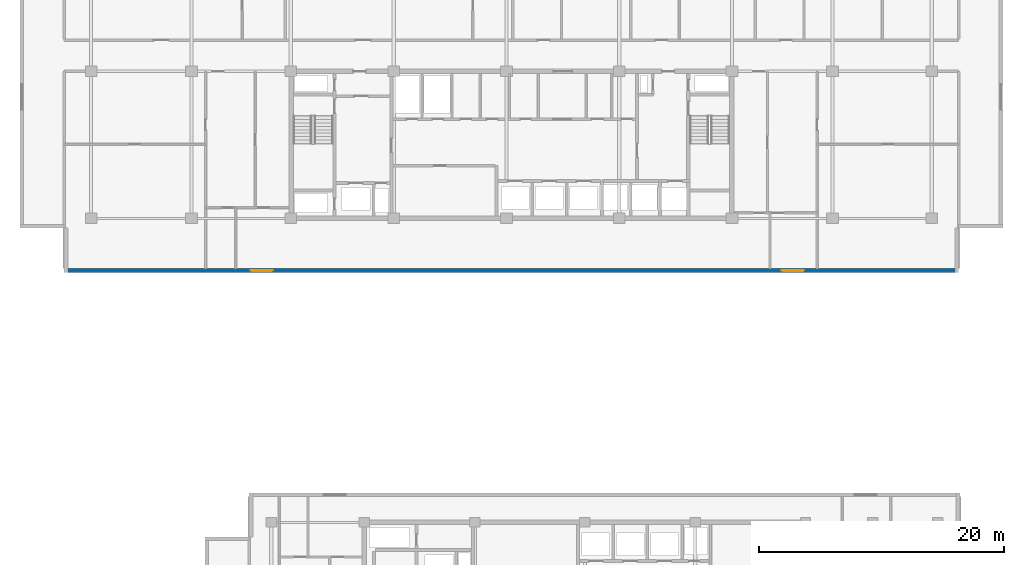
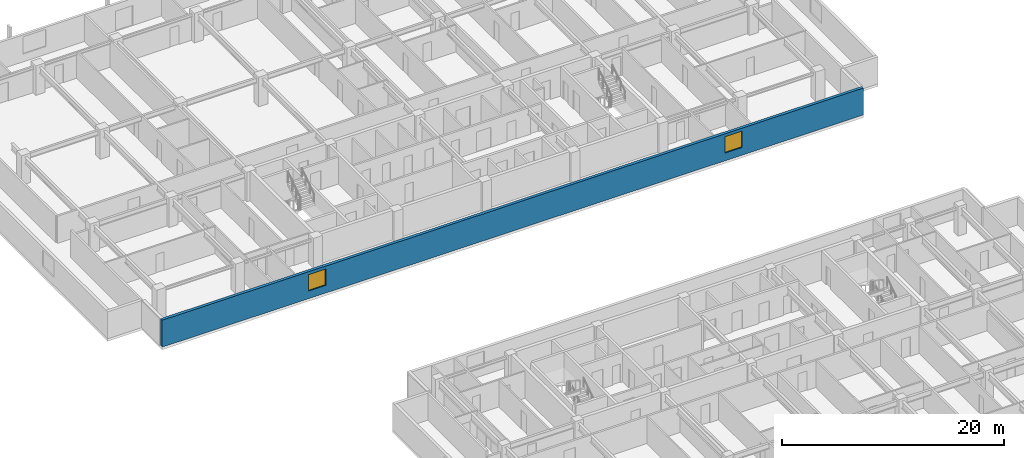
# One storey, part 8 of 21: 2 windows, 1 wall, 2 openings.
"""IFC4 building model written with IfcOpenShell, lengths in metres."""

from ifc_helpers import new_model, si_unit, direction, frame, frame_2d, origin, place, context, subcontext, project, spatial, rectangle, extrude, material, layer, layer_set, type_object, element, fill, save


model = new_model("IFC4")

# Units and contexts
model_context = context("Model", 3, precision=1e-05, world=origin(), true_north=direction((0.0, 1.0)))
body_context = subcontext(model_context, "Body", "Model", "MODEL_VIEW")
ifc_project = project(units=[si_unit("LENGTHUNIT", "METRE"), si_unit("AREAUNIT", "SQUARE_METRE"), si_unit("VOLUMEUNIT", "CUBIC_METRE"), si_unit("PLANEANGLEUNIT", "RADIAN"), si_unit("MASSUNIT", "GRAM", prefix="KILO")], contexts=[model_context])

# Site, building, storey
site_placement = place(None, origin())
site = spatial("IfcSite", under=ifc_project, at=site_placement, CompositionType="ELEMENT")
building_placement = place(site_placement, origin())
building = spatial("IfcBuilding", under=site, at=building_placement, Name="Korimba Cascade Residences", CompositionType="ELEMENT")
storey_placement = place(building_placement, frame((0.0, 0.0, 100.300048828125)))
storey = spatial("IfcBuildingStorey", under=building, at=storey_placement, Name="L28", CompositionType="ELEMENT", Elevation=100.300048828125)

# Wall, openings, windows
ifc_material_1 = material(Name="Precast concrete C40/50", Category="concrete")
ifc_layer = layer(ifc_material_1, 0.300048828125)
ifc_layer_set = layer_set([ifc_layer], Name="Precast concrete C40/50")
wall_type = type_object("IfcWallType", Name="EW-STONE-300", PredefinedType="STANDARD", material=ifc_layer_set)
wall_placement = place(storey_placement, frame((57.60009765625, 50.949951171875, 0.0), z_axis=(0.0, 0.0, 1.0), x_axis=(1.0, 0.0, 0.0)))
wall = element("IfcWall", 1, at=wall_placement, inside=storey, type_object=wall_type, Name="L28 T1 Perimeter Stone Wall E00", PredefinedType="STANDARD", context=body_context, shape_type="SweptSolid", body=[
    extrude(rectangle(XDim=73.0, YDim=0.300048828125, at=frame_2d((36.5, 0.0))), origin(), (0.0, 0.0, 1.0), 2.969970703125),
])
opening_1_placement = place(wall_placement, frame((15.22509765625, 0.0, 0.85009765625)))
opening_1 = element("IfcOpeningElement", 2, at=opening_1_placement, cuts=wall, Name="Opening W-02", PredefinedType="OPENING", context=body_context, shape_type="SweptSolid", body=[
    extrude(rectangle(XDim=1.800048828125, YDim=1.800048828125, at=frame_2d((0.89990234375, 0.89990234375))), frame((0.0, 0.16015625, 0.0), z_axis=(0.0, -1.0, 0.0), x_axis=(1.0, 0.0, 0.0)), (0.0, 0.0, 1.0), 0.320068359375),
])
opening_2_placement = place(wall_placement, frame((58.574951171875, 0.0, 0.85009765625)))
opening_2 = element("IfcOpeningElement", 3, at=opening_2_placement, cuts=wall, Name="Opening W-02", PredefinedType="OPENING", context=body_context, shape_type="SweptSolid", body=[
    extrude(rectangle(XDim=1.800048828125, YDim=1.800048828125, at=frame_2d((0.89990234375, 0.89990234375))), frame((0.0, 0.16015625, 0.0), z_axis=(0.0, -1.0, 0.0), x_axis=(1.0, 0.0, 0.0)), (0.0, 0.0, 1.0), 0.320068359375),
])
ifc_material_2 = material(Name="Double-Glazed Aluminium Window", Category="aluminium")
window_type = type_object("IfcWindowType", Name="WIN-BED-1800", PartitioningType="SINGLE_PANEL", PredefinedType="WINDOW", material=ifc_material_2)
window_1_placement = place(opening_1_placement, origin())
window_1 = element("IfcWindow", 4, at=window_1_placement, inside=storey, type_object=window_type, Name="L28 T1 South Corner Bedroom Window 1", OverallHeight=1.800048828125, OverallWidth=1.800048828125, PartitioningType="SINGLE_PANEL", PredefinedType="WINDOW", context=body_context, shape_type="SweptSolid", body=[
    extrude(rectangle(XDim=1.800048828125, YDim=1.800048828125, at=frame_2d((0.89990234375, 0.89990234375))), frame((0.0, 0.030029296875, 0.0), z_axis=(0.0, -1.0, 0.0), x_axis=(1.0, 0.0, 0.0)), (0.0, 0.0, 1.0), 0.06005859375),
])
fill(opening_1, window_1)
window_2_placement = place(opening_2_placement, origin())
window_2 = element("IfcWindow", 5, at=window_2_placement, inside=storey, type_object=window_type, Name="L28 T1 South Corner Bedroom Window 2", OverallHeight=1.800048828125, OverallWidth=1.800048828125, PartitioningType="SINGLE_PANEL", PredefinedType="WINDOW", context=body_context, shape_type="SweptSolid", body=[
    extrude(rectangle(XDim=1.800048828125, YDim=1.800048828125, at=frame_2d((0.89990234375, 0.89990234375))), frame((0.0, 0.030029296875, 0.0), z_axis=(0.0, -1.0, 0.0), x_axis=(1.0, 0.0, 0.0)), (0.0, 0.0, 1.0), 0.06005859375),
])
fill(opening_2, window_2)

save(model, "model.ifc")
